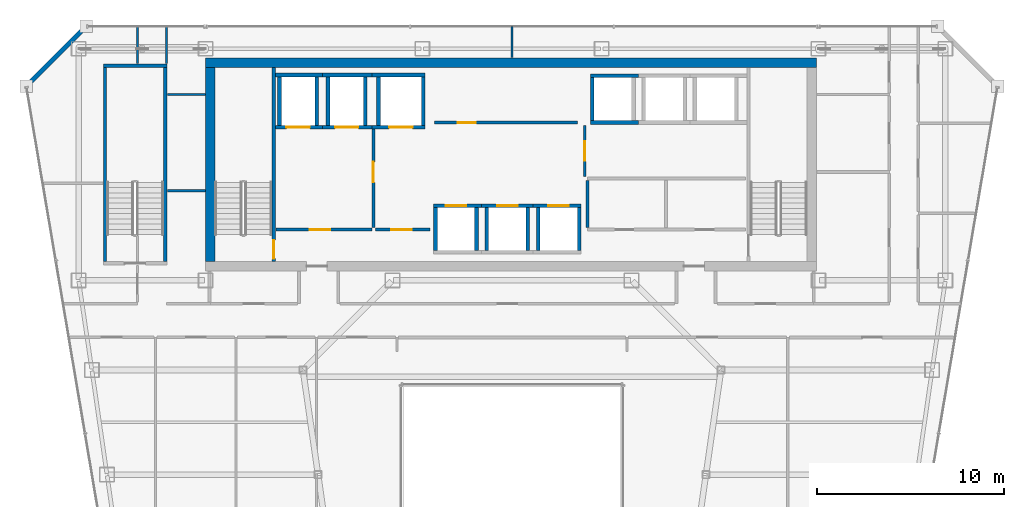
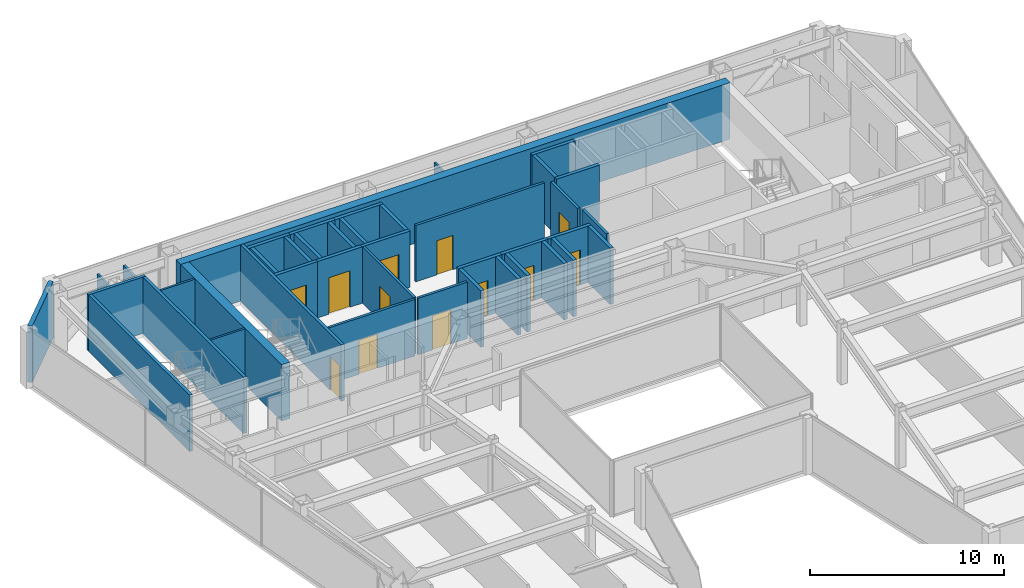
# One storey, part 31 of 35: 42 walls, 12 doors, 12 openings.
"""IFC4 building model written with IfcOpenShell, lengths in metres."""

from ifc_helpers import new_model, si_unit, direction, frame, frame_2d, origin, place, context, subcontext, project, spatial, rectangle, extrude, material, layer, layer_set, type_object, element, fill, save


model = new_model("IFC4")

# Units and contexts
model_context = context("Model", 3, precision=1e-05, world=origin(), true_north=direction((0.0, 1.0)))
body_context = subcontext(model_context, "Body", "Model", "MODEL_VIEW")
ifc_project = project(units=[si_unit("LENGTHUNIT", "METRE"), si_unit("AREAUNIT", "SQUARE_METRE"), si_unit("VOLUMEUNIT", "CUBIC_METRE"), si_unit("PLANEANGLEUNIT", "RADIAN"), si_unit("MASSUNIT", "GRAM", prefix="KILO")], contexts=[model_context])

# Site, building, storey
site_placement = place(None, origin())
site = spatial("IfcSite", under=ifc_project, at=site_placement, CompositionType="ELEMENT")
building_placement = place(site_placement, origin())
building = spatial("IfcBuilding", under=site, at=building_placement, Name="Saevonmaru Cultural Tower", CompositionType="ELEMENT")
storey_placement = place(building_placement, frame((0.0, 0.0, 190.39990234375)))
storey = spatial("IfcBuildingStorey", under=building, at=storey_placement, Name="L43", CompositionType="ELEMENT", Elevation=190.39990234375)

# Walls
ifc_material_1 = material(Name="Concrete C60/75", Category="concrete")
ifc_layer_1 = layer(ifc_material_1, 0.5, Name="Concrete C60/75")
ifc_layer_set_1 = layer_set([ifc_layer_1], Name="Concrete C60/75")
wall_type_1 = type_object("IfcWallType", Name="WL-CORE-500", PredefinedType="SHEAR", material=ifc_layer_set_1)
wall_1_placement = place(storey_placement, frame((13.60009765625, 54.050048828125, 0.0), z_axis=(0.0, 0.0, 1.0), x_axis=(1.0, 0.0, 0.0)))
element("IfcWall", 1, at=wall_1_placement, inside=storey, type_object=wall_type_1, Name="L43 Tower RC core shear wall N", PredefinedType="SHEAR", context=body_context, shape_type="SweptSolid", body=[
    extrude(rectangle(XDim=32.699951171875, YDim=0.5, at=frame_2d((16.35009765625, 0.0))), origin(), (0.0, 0.0, 1.0), 3.550048828125),
])
wall_2_placement = place(storey_placement, frame((13.85009765625, 43.39990234375, 0.0), z_axis=(0.0, 0.0, 1.0), x_axis=(0.0, 1.0, 0.0)))
element("IfcWall", 2, at=wall_2_placement, inside=storey, type_object=wall_type_1, Name="L43 Tower RC core shear wall W", PredefinedType="SHEAR", context=body_context, shape_type="SweptSolid", body=[
    extrude(rectangle(XDim=10.400146484375, YDim=0.5, at=frame_2d((5.2001953125, 0.0))), origin(), (0.0, 0.0, 1.0), 3.550048828125),
])

# Wall, opening, door
ifc_material_2 = material(Name="Gypsum Fireboard Partition", Category="gypsum")
ifc_layer_2 = layer(ifc_material_2, 0.14990234375, Name="Gypsum Fireboard Partition")
ifc_layer_set_2 = layer_set([ifc_layer_2], Name="Gypsum Fireboard Partition")
wall_type_2 = type_object("IfcWallType", Name="WL-CORE-PART-150", PredefinedType="PARTITIONING", material=ifc_layer_set_2)
wall_3_placement = place(storey_placement, frame((17.360107421875, 45.1201171875, 0.0), z_axis=(0.0, 0.0, 1.0), x_axis=(1.0, 0.0, 0.0)))
wall_3 = element("IfcWall", 3, at=wall_3_placement, inside=storey, type_object=wall_type_2, Name="L43 Firefighting Lift Lobby South Wall", PredefinedType="PARTITIONING", context=body_context, shape_type="SweptSolid", body=[
    extrude(rectangle(XDim=5.139892578125, YDim=0.14990234375, at=frame_2d((2.56982421875, 0.0))), origin(), (0.0, 0.0, 1.0), 3.550048828125),
])
opening_1_placement = place(wall_3_placement, frame((1.800048828125, 0.0, 0.0)))
opening_1 = element("IfcOpeningElement", 4, at=opening_1_placement, cuts=wall_3, Name="Opening FD-2", PredefinedType="OPENING", context=body_context, shape_type="SweptSolid", body=[
    extrude(rectangle(XDim=1.10009765625, YDim=2.14990234375, at=frame_2d((0.550048828125, 1.074951171875))), frame((0.0, 0.0849609375, 0.0), z_axis=(0.0, -1.0, 0.0), x_axis=(1.0, 0.0, 0.0)), (0.0, 0.0, 1.0), 0.169921875),
])
ifc_material_3 = material(Name="Satin Bronze Anodised Aluminium", Category="aluminium")
door_type_1 = type_object("IfcDoorType", Name="DR-FD60-1100", OperationType="SINGLE_SWING_LEFT", PredefinedType="DOOR", material=ifc_material_3)
door_1_placement = place(opening_1_placement, origin())
door_1 = element("IfcDoor", 5, at=door_1_placement, inside=storey, type_object=door_type_1, Name="L43 Firefighting Lift Lobby South Door", OperationType="SINGLE_SWING_LEFT", OverallHeight=2.14990234375, OverallWidth=1.10009765625, PredefinedType="DOOR", context=body_context, shape_type="SweptSolid", body=[
    extrude(rectangle(XDim=1.10009765625, YDim=2.14990234375, at=frame_2d((0.550048828125, 1.074951171875))), frame((0.0, 0.02490234375, 0.0), z_axis=(0.0, -1.0, 0.0), x_axis=(1.0, 0.0, 0.0)), (0.0, 0.0, 1.0), 0.050048828125),
])
fill(opening_1, door_1)

wall_4_placement = place(storey_placement, frame((22.580078125, 50.550048828125, 0.0), z_axis=(0.0, 0.0, 1.0), x_axis=(0.0, -1.0, 0.0)))
wall_4 = element("IfcWall", 6, at=wall_4_placement, inside=storey, type_object=wall_type_2, Name="L43 Firefighting Lift Lobby East Wall", PredefinedType="PARTITIONING", context=body_context, shape_type="SweptSolid", body=[
    extrude(rectangle(XDim=5.330078125, YDim=0.14990234375, at=frame_2d((2.6650390625, 0.0))), origin(), (0.0, 0.0, 1.0), 3.550048828125),
])
opening_2_placement = place(wall_4_placement, frame((1.800048828125, 0.0, 0.0)))
opening_2 = element("IfcOpeningElement", 7, at=opening_2_placement, cuts=wall_4, Name="Opening FD-2", PredefinedType="OPENING", context=body_context, shape_type="SweptSolid", body=[
    extrude(rectangle(XDim=1.10009765625, YDim=2.14990234375, at=frame_2d((0.550048828125, 1.074951171875))), frame((0.0, 0.0849609375, 0.0), z_axis=(0.0, -1.0, 0.0), x_axis=(1.0, 0.0, 0.0)), (0.0, 0.0, 1.0), 0.169921875),
])
door_2_placement = place(opening_2_placement, origin())
door_2 = element("IfcDoor", 8, at=door_2_placement, inside=storey, type_object=door_type_1, Name="L43 Firefighting Lift Lobby East Door", OperationType="SINGLE_SWING_LEFT", OverallHeight=2.14990234375, OverallWidth=1.10009765625, PredefinedType="DOOR", context=body_context, shape_type="SweptSolid", body=[
    extrude(rectangle(XDim=1.10009765625, YDim=2.14990234375, at=frame_2d((0.550048828125, 1.074951171875))), frame((0.0, 0.02490234375, 0.0), z_axis=(0.0, -1.0, 0.0), x_axis=(1.0, 0.0, 0.0)), (0.0, 0.0, 1.0), 0.050048828125),
])
fill(opening_2, door_2)

wall_5_placement = place(storey_placement, frame((22.679931640625, 45.1201171875, 0.0), z_axis=(0.0, 0.0, 1.0), x_axis=(1.0, 0.0, 0.0)))
wall_5 = element("IfcWall", 9, at=wall_5_placement, inside=storey, type_object=wall_type_2, Name="L43 Service Lift Vestibule Wall", PredefinedType="PARTITIONING", context=body_context, shape_type="SweptSolid", body=[
    extrude(rectangle(XDim=2.920166015625, YDim=0.14990234375, at=frame_2d((1.4599609375, 0.0))), origin(), (0.0, 0.0, 1.0), 3.550048828125),
])
opening_3_placement = place(wall_5_placement, frame((0.85009765625, 0.0, 0.0)))
opening_3 = element("IfcOpeningElement", 10, at=opening_3_placement, cuts=wall_5, Name="Opening FD-2", PredefinedType="OPENING", context=body_context, shape_type="SweptSolid", body=[
    extrude(rectangle(XDim=1.10009765625, YDim=2.14990234375, at=frame_2d((0.550048828125, 1.074951171875))), frame((0.0, 0.0849609375, 0.0), z_axis=(0.0, -1.0, 0.0), x_axis=(1.0, 0.0, 0.0)), (0.0, 0.0, 1.0), 0.169921875),
])
door_3_placement = place(opening_3_placement, origin())
door_3 = element("IfcDoor", 11, at=door_3_placement, inside=storey, type_object=door_type_1, Name="L43 Service Lift Vestibule Door", OperationType="SINGLE_SWING_LEFT", OverallHeight=2.14990234375, OverallWidth=1.10009765625, PredefinedType="DOOR", context=body_context, shape_type="SweptSolid", body=[
    extrude(rectangle(XDim=1.10009765625, YDim=2.14990234375, at=frame_2d((0.550048828125, 1.074951171875))), frame((0.0, 0.02490234375, 0.0), z_axis=(0.0, -1.0, 0.0), x_axis=(1.0, 0.0, 0.0)), (0.0, 0.0, 1.0), 0.050048828125),
])
fill(opening_3, door_3)

wall_6_placement = place(storey_placement, frame((33.89990234375, 47.949951171875, 0.0), z_axis=(0.0, 0.0, 1.0), x_axis=(0.0, 1.0, 0.0)))
wall_6 = element("IfcWall", 12, at=wall_6_placement, inside=storey, type_object=wall_type_2, Name="L43 Zone Lobby Divider", PredefinedType="PARTITIONING", context=body_context, shape_type="SweptSolid", body=[
    extrude(rectangle(XDim=2.75, YDim=0.14990234375, at=frame_2d((1.375, 0.0))), origin(), (0.0, 0.0, 1.0), 3.550048828125),
])
opening_4_placement = place(wall_6_placement, frame((0.85009765625, 0.0, 0.0)))
opening_4 = element("IfcOpeningElement", 13, at=opening_4_placement, cuts=wall_6, Name="Opening ID-1", PredefinedType="OPENING", context=body_context, shape_type="SweptSolid", body=[
    extrude(rectangle(XDim=1.050048828125, YDim=2.14990234375, at=frame_2d((0.52490234375, 1.074951171875))), frame((0.0, 0.0849609375, 0.0), z_axis=(0.0, -1.0, 0.0), x_axis=(1.0, 0.0, 0.0)), (0.0, 0.0, 1.0), 0.169921875),
])
door_type_2 = type_object("IfcDoorType", Name="DR-INT-1050", OperationType="SINGLE_SWING_LEFT", PredefinedType="DOOR", material=ifc_material_3)
door_4_placement = place(opening_4_placement, origin())
door_4 = element("IfcDoor", 14, at=door_4_placement, inside=storey, type_object=door_type_2, Name="L43 Inter-Lobby Link Door", OperationType="SINGLE_SWING_LEFT", OverallHeight=2.14990234375, OverallWidth=1.050048828125, PredefinedType="DOOR", context=body_context, shape_type="SweptSolid", body=[
    extrude(rectangle(XDim=1.050048828125, YDim=2.14990234375, at=frame_2d((0.52490234375, 1.074951171875))), frame((0.0, 0.02490234375, 0.0), z_axis=(0.0, -1.0, 0.0), x_axis=(1.0, 0.0, 0.0)), (0.0, 0.0, 1.0), 0.050048828125),
])
fill(opening_4, door_4)

# Wall
wall_7_placement = place(storey_placement, frame((34.050048828125, 45.219970703125, 0.0), z_axis=(0.0, 0.0, 1.0), x_axis=(0.0, 1.0, 0.0)))
element("IfcWall", 15, at=wall_7_placement, inside=storey, type_object=wall_type_2, Name="L43 Core Plant West Wall", PredefinedType="PARTITIONING", context=body_context, shape_type="SweptSolid", body=[
    extrude(rectangle(XDim=2.530029296875, YDim=0.14990234375, at=frame_2d((1.26513671875, 0.0))), origin(), (0.0, 0.0, 1.0), 3.550048828125),
])

# Wall, opening, door
wall_8_placement = place(storey_placement, frame((25.85009765625, 50.85009765625, 0.0), z_axis=(0.0, 0.0, 1.0), x_axis=(1.0, 0.0, 0.0)))
wall_8 = element("IfcWall", 16, at=wall_8_placement, inside=storey, type_object=wall_type_2, Name="L43 Reclaimed Core Room South Wall", PredefinedType="PARTITIONING", context=body_context, shape_type="SweptSolid", body=[
    extrude(rectangle(XDim=7.64990234375, YDim=0.14990234375, at=frame_2d((3.824951171875, 0.0))), origin(), (0.0, 0.0, 1.0), 3.550048828125),
])
opening_5_placement = place(wall_8_placement, frame((1.25, 0.0, 0.0)))
opening_5 = element("IfcOpeningElement", 17, at=opening_5_placement, cuts=wall_8, Name="Opening FD-4", PredefinedType="OPENING", context=body_context, shape_type="SweptSolid", body=[
    extrude(rectangle(XDim=0.949951171875, YDim=2.14990234375, at=frame_2d((0.47509765625, 1.074951171875))), frame((0.0, 0.0849609375, 0.0), z_axis=(0.0, -1.0, 0.0), x_axis=(1.0, 0.0, 0.0)), (0.0, 0.0, 1.0), 0.169921875),
])
door_type_3 = type_object("IfcDoorType", Name="DR-FD60-950", OperationType="SINGLE_SWING_LEFT", PredefinedType="DOOR", material=ifc_material_3)
door_5_placement = place(opening_5_placement, origin())
door_5 = element("IfcDoor", 18, at=door_5_placement, inside=storey, type_object=door_type_3, Name="L43 Reclaimed Archive Vault Door", OperationType="SINGLE_SWING_LEFT", OverallHeight=2.14990234375, OverallWidth=0.949951171875, PredefinedType="DOOR", context=body_context, shape_type="SweptSolid", body=[
    extrude(rectangle(XDim=0.949951171875, YDim=2.14990234375, at=frame_2d((0.47509765625, 1.074951171875))), frame((0.0, 0.02490234375, 0.0), z_axis=(0.0, -1.0, 0.0), x_axis=(1.0, 0.0, 0.0)), (0.0, 0.0, 1.0), 0.050048828125),
])
fill(opening_5, door_5)

# Walls
ifc_material_4 = material(Name="Granite-Clad Precast Concrete C40/50", Category="masonry")
ifc_layer_3 = layer(ifc_material_4, 0.260009765625, Name="Granite-Clad Precast Concrete C40/50")
ifc_layer_set_3 = layer_set([ifc_layer_3], Name="Granite-Clad Precast Concrete C40/50")
wall_type_3 = type_object("IfcWallType", Name="WL-EXT-SPANDREL-260", PredefinedType="STANDARD", material=ifc_layer_set_3)
wall_9_placement = place(storey_placement, frame((7.0869140625, 55.886962890625, 0.0), z_axis=(0.0, 0.0, 1.0), x_axis=(-0.707106781187, -0.707106781187, 0.0)))
element("IfcWall", 19, at=wall_9_placement, inside=storey, type_object=wall_type_3, Name="L43 Chamfer Corner Spandrel Wall E11", PredefinedType="STANDARD", context=body_context, shape_type="SweptSolid", body=[
    extrude(rectangle(XDim=4.205810546875, YDim=0.260009765625, at=frame_2d((2.10302734375, 0.0))), origin(), (0.0, 0.0, 1.0), 3.550048828125),
])
ifc_layer_4 = layer(ifc_material_2, 0.1201171875, Name="Gypsum Fireboard Partition")
ifc_layer_set_4 = layer_set([ifc_layer_4], Name="Gypsum Fireboard Partition")
wall_type_4 = type_object("IfcWallType", Name="WL-PART-GYP-120", PredefinedType="PARTITIONING", material=ifc_layer_set_4)
wall_10_placement = place(storey_placement, frame((11.550048828125, 52.35009765625, 0.0), z_axis=(0.0, 0.0, 1.0), x_axis=(1.0, 0.0, 0.0)))
element("IfcWall", 20, at=wall_10_placement, inside=storey, type_object=wall_type_4, Name="L43 North-West Panorama South Wall", PredefinedType="PARTITIONING", context=body_context, shape_type="SweptSolid", body=[
    extrude(rectangle(XDim=2.030029296875, YDim=0.1201171875, at=frame_2d((1.01513671875, 0.0))), origin(), (0.0, 0.0, 1.0), 3.550048828125),
])
wall_11_placement = place(storey_placement, frame((30.0, 54.320068359375, 0.0), z_axis=(0.0, 0.0, 1.0), x_axis=(0.0, 1.0, 0.0)))
element("IfcWall", 21, at=wall_11_placement, inside=storey, type_object=wall_type_4, Name="L43 North Panorama Center Split", PredefinedType="PARTITIONING", context=body_context, shape_type="SweptSolid", body=[
    extrude(rectangle(XDim=1.675048828125, YDim=0.1201171875, at=frame_2d((0.83740234375, 0.0))), origin(), (0.0, 0.0, 1.0), 2.93505859375),
])
for number, where, z_axis, x_axis, name in (
    (22, (11.5, 54.0, 0.0), (0.0, 0.0, 1.0), (0.0, 1.0, 0.0), "L43 Periodical Reading Room Corridor Wall"),
    (23, (9.949951171875, 54.0, 0.0), (0.0, 0.0, 1.0), (0.0, 1.0, 0.0), "L43 Cartographic Study Library Corridor Wall"),
):
    element("IfcWall", number, at=place(storey_placement, frame(where, z_axis=z_axis, x_axis=x_axis)), inside=storey, type_object=wall_type_4, Name=name, PredefinedType="PARTITIONING", context=body_context, shape_type="SweptSolid", body=[
        extrude(rectangle(XDim=1.9951171875, YDim=0.1201171875, at=frame_2d((0.99755859375, 0.0))), origin(), (0.0, 0.0, 1.0), 2.93505859375),
    ])
wall_12_placement = place(storey_placement, frame((11.550048828125, 47.199951171875, 0.0), z_axis=(0.0, 0.0, 1.0), x_axis=(1.0, 0.0, 0.0)))
element("IfcWall", 24, at=wall_12_placement, inside=storey, type_object=wall_type_4, Name="L43 NW Inner Divider", PredefinedType="PARTITIONING", context=body_context, shape_type="SweptSolid", body=[
    extrude(rectangle(XDim=2.030029296875, YDim=0.1201171875, at=frame_2d((1.01513671875, 0.0))), origin(), (0.0, 0.0, 1.0), 3.550048828125),
])

# Wall, opening, door
ifc_material_5 = material(Name="Concrete C40/50", Category="concrete")
ifc_layer_5 = layer(ifc_material_5, 0.199951171875, Name="Concrete C40/50")
ifc_layer_set_5 = layer_set([ifc_layer_5], Name="Concrete C40/50")
wall_type_5 = type_object("IfcWallType", Name="WL-SHAFT-200", PredefinedType="SHEAR", material=ifc_layer_set_5)
wall_13_placement = place(storey_placement, frame((17.330078125, 50.60009765625, 0.0), z_axis=(0.0, 0.0, 1.0), x_axis=(1.0, 0.0, 0.0)))
wall_13 = element("IfcWall", 25, at=wall_13_placement, inside=storey, type_object=wall_type_5, Name="L43 Lift FFL-1 Hoistway Wall S", PredefinedType="SHEAR", context=body_context, shape_type="SweptSolid", body=[
    extrude(rectangle(XDim=2.52001953125, YDim=0.199951171875, at=frame_2d((1.260009765625, 0.0))), origin(), (0.0, 0.0, 1.0), 3.550048828125),
])
opening_6_placement = place(wall_13_placement, frame((0.594970703125, 0.0, 0.0)))
opening_6 = element("IfcOpeningElement", 26, at=opening_6_placement, cuts=wall_13, Name="Opening LD-2", PredefinedType="OPENING", context=body_context, shape_type="SweptSolid", body=[
    extrude(rectangle(XDim=1.25, YDim=2.300048828125, at=frame_2d((0.625, 1.14990234375))), frame((0.0, 0.10986328125, 0.0), z_axis=(0.0, -1.0, 0.0), x_axis=(1.0, 0.0, 0.0)), (0.0, 0.0, 1.0), 0.219970703125),
])
ifc_material_6 = material(Name="Stainless Steel 316", Category="steel")
door_type_4 = type_object("IfcDoorType", Name="DR-LIFT-1250", OperationType="SLIDING_TO_LEFT", PredefinedType="DOOR", material=ifc_material_6)
door_6_placement = place(opening_6_placement, origin())
door_6 = element("IfcDoor", 27, at=door_6_placement, inside=storey, type_object=door_type_4, Name="L43 Lift FFL-1 Sliding Landing Door", OperationType="SLIDING_TO_LEFT", OverallHeight=2.300048828125, OverallWidth=1.25, PredefinedType="DOOR", context=body_context, shape_type="SweptSolid", body=[
    extrude(rectangle(XDim=1.25, YDim=2.300048828125, at=frame_2d((0.625, 1.14990234375))), frame((0.0, 0.02490234375, 0.0), z_axis=(0.0, -1.0, 0.0), x_axis=(1.0, 0.0, 0.0)), (0.0, 0.0, 1.0), 0.050048828125),
])
fill(opening_6, door_6)

# Walls
wall_14_placement = place(storey_placement, frame((17.330078125, 53.39990234375, 0.0), z_axis=(0.0, 0.0, 1.0), x_axis=(1.0, 0.0, 0.0)))
element("IfcWall", 28, at=wall_14_placement, inside=storey, type_object=wall_type_5, Name="L43 Lift FFL-1 Hoistway Wall N", PredefinedType="SHEAR", context=body_context, shape_type="SweptSolid", body=[
    extrude(rectangle(XDim=2.52001953125, YDim=0.199951171875, at=frame_2d((1.260009765625, 0.0))), origin(), (0.0, 0.0, 1.0), 3.550048828125),
])
for number, where, z_axis, x_axis, name in (
    (29, (17.550048828125, 50.699951171875, 0.0), (0.0, 0.0, 1.0), (0.0, 1.0, 0.0), "L43 Lift FFL-1 Hoistway Wall W"),
    (30, (19.550048828125, 50.699951171875, 0.0), (0.0, 0.0, 1.0), (0.0, 1.0, 0.0), "L43 Lift FFL-1 Hoistway Wall E"),
):
    element("IfcWall", number, at=place(storey_placement, frame(where, z_axis=z_axis, x_axis=x_axis)), inside=storey, type_object=wall_type_5, Name=name, PredefinedType="SHEAR", context=body_context, shape_type="SweptSolid", body=[
        extrude(rectangle(XDim=2.60009765625, YDim=0.199951171875, at=frame_2d((1.300048828125, 0.0))), origin(), (0.0, 0.0, 1.0), 3.550048828125),
    ])

# Wall, opening, door
wall_15_placement = place(storey_placement, frame((19.85009765625, 50.60009765625, 0.0), z_axis=(0.0, 0.0, 1.0), x_axis=(1.0, 0.0, 0.0)))
wall_15 = element("IfcWall", 31, at=wall_15_placement, inside=storey, type_object=wall_type_5, Name="L43 Lift FFL-2 Hoistway Wall S", PredefinedType="SHEAR", context=body_context, shape_type="SweptSolid", body=[
    extrude(rectangle(XDim=2.64990234375, YDim=0.199951171875, at=frame_2d((1.324951171875, 0.0))), origin(), (0.0, 0.0, 1.0), 3.550048828125),
])
opening_7_placement = place(wall_15_placement, frame((0.675048828125, 0.0, 0.0)))
opening_7 = element("IfcOpeningElement", 32, at=opening_7_placement, cuts=wall_15, Name="Opening LD-2", PredefinedType="OPENING", context=body_context, shape_type="SweptSolid", body=[
    extrude(rectangle(XDim=1.25, YDim=2.300048828125, at=frame_2d((0.625, 1.14990234375))), frame((0.0, 0.10986328125, 0.0), z_axis=(0.0, -1.0, 0.0), x_axis=(1.0, 0.0, 0.0)), (0.0, 0.0, 1.0), 0.219970703125),
])
door_7_placement = place(opening_7_placement, origin())
door_7 = element("IfcDoor", 33, at=door_7_placement, inside=storey, type_object=door_type_4, Name="L43 Lift FFL-2 Sliding Landing Door", OperationType="SLIDING_TO_LEFT", OverallHeight=2.300048828125, OverallWidth=1.25, PredefinedType="DOOR", context=body_context, shape_type="SweptSolid", body=[
    extrude(rectangle(XDim=1.25, YDim=2.300048828125, at=frame_2d((0.625, 1.14990234375))), frame((0.0, 0.02490234375, 0.0), z_axis=(0.0, -1.0, 0.0), x_axis=(1.0, 0.0, 0.0)), (0.0, 0.0, 1.0), 0.050048828125),
])
fill(opening_7, door_7)

# Walls
wall_16_placement = place(storey_placement, frame((19.85009765625, 53.39990234375, 0.0), z_axis=(0.0, 0.0, 1.0), x_axis=(1.0, 0.0, 0.0)))
element("IfcWall", 34, at=wall_16_placement, inside=storey, type_object=wall_type_5, Name="L43 Lift FFL-2 Hoistway Wall N", PredefinedType="SHEAR", context=body_context, shape_type="SweptSolid", body=[
    extrude(rectangle(XDim=2.64990234375, YDim=0.199951171875, at=frame_2d((1.324951171875, 0.0))), origin(), (0.0, 0.0, 1.0), 3.550048828125),
])
for number, where, z_axis, x_axis, name in (
    (35, (20.14990234375, 50.699951171875, 0.0), (0.0, 0.0, 1.0), (0.0, 1.0, 0.0), "L43 Lift FFL-2 Hoistway Wall W"),
    (36, (22.14990234375, 50.699951171875, 0.0), (0.0, 0.0, 1.0), (0.0, 1.0, 0.0), "L43 Lift FFL-2 Hoistway Wall E"),
):
    element("IfcWall", number, at=place(storey_placement, frame(where, z_axis=z_axis, x_axis=x_axis)), inside=storey, type_object=wall_type_5, Name=name, PredefinedType="SHEAR", context=body_context, shape_type="SweptSolid", body=[
        extrude(rectangle(XDim=2.60009765625, YDim=0.199951171875, at=frame_2d((1.300048828125, 0.0))), origin(), (0.0, 0.0, 1.0), 3.550048828125),
    ])

# Wall, opening, door
wall_17_placement = place(storey_placement, frame((22.5, 50.60009765625, 0.0), z_axis=(0.0, 0.0, 1.0), x_axis=(1.0, 0.0, 0.0)))
wall_17 = element("IfcWall", 37, at=wall_17_placement, inside=storey, type_object=wall_type_5, Name="L43 Lift GL-1 Hoistway Wall S", PredefinedType="SHEAR", context=body_context, shape_type="SweptSolid", body=[
    extrude(rectangle(XDim=2.85009765625, YDim=0.199951171875, at=frame_2d((1.425048828125, 0.0))), origin(), (0.0, 0.0, 1.0), 3.550048828125),
])
opening_8_placement = place(wall_17_placement, frame((0.925048828125, 0.0, 0.0)))
opening_8 = element("IfcOpeningElement", 38, at=opening_8_placement, cuts=wall_17, Name="Opening LD-2", PredefinedType="OPENING", context=body_context, shape_type="SweptSolid", body=[
    extrude(rectangle(XDim=1.25, YDim=2.300048828125, at=frame_2d((0.625, 1.14990234375))), frame((0.0, 0.10986328125, 0.0), z_axis=(0.0, -1.0, 0.0), x_axis=(1.0, 0.0, 0.0)), (0.0, 0.0, 1.0), 0.219970703125),
])
door_8_placement = place(opening_8_placement, origin())
door_8 = element("IfcDoor", 39, at=door_8_placement, inside=storey, type_object=door_type_4, Name="L43 Lift GL-1 Sliding Landing Door", OperationType="SLIDING_TO_LEFT", OverallHeight=2.300048828125, OverallWidth=1.25, PredefinedType="DOOR", context=body_context, shape_type="SweptSolid", body=[
    extrude(rectangle(XDim=1.25, YDim=2.300048828125, at=frame_2d((0.625, 1.14990234375))), frame((0.0, 0.02490234375, 0.0), z_axis=(0.0, -1.0, 0.0), x_axis=(1.0, 0.0, 0.0)), (0.0, 0.0, 1.0), 0.050048828125),
])
fill(opening_8, door_8)

# Walls
wall_18_placement = place(storey_placement, frame((22.5, 53.39990234375, 0.0), z_axis=(0.0, 0.0, 1.0), x_axis=(1.0, 0.0, 0.0)))
element("IfcWall", 40, at=wall_18_placement, inside=storey, type_object=wall_type_5, Name="L43 Lift GL-1 Hoistway Wall N", PredefinedType="SHEAR", context=body_context, shape_type="SweptSolid", body=[
    extrude(rectangle(XDim=2.85009765625, YDim=0.199951171875, at=frame_2d((1.425048828125, 0.0))), origin(), (0.0, 0.0, 1.0), 3.550048828125),
])
for number, where, z_axis, x_axis, name in (
    (41, (22.85009765625, 50.699951171875, 0.0), (0.0, 0.0, 1.0), (0.0, 1.0, 0.0), "L43 Lift GL-1 Hoistway Wall W"),
    (42, (25.25, 50.699951171875, 0.0), (0.0, 0.0, 1.0), (0.0, 1.0, 0.0), "L43 Lift GL-1 Hoistway Wall E"),
):
    element("IfcWall", number, at=place(storey_placement, frame(where, z_axis=z_axis, x_axis=x_axis)), inside=storey, type_object=wall_type_5, Name=name, PredefinedType="SHEAR", context=body_context, shape_type="SweptSolid", body=[
        extrude(rectangle(XDim=2.60009765625, YDim=0.199951171875, at=frame_2d((1.300048828125, 0.0))), origin(), (0.0, 0.0, 1.0), 3.550048828125),
    ])

# Wall, opening, door
wall_19_placement = place(storey_placement, frame((25.800048828125, 46.39990234375, 0.0), z_axis=(0.0, 0.0, 1.0), x_axis=(1.0, 0.0, 0.0)))
wall_19 = element("IfcWall", 43, at=wall_19_placement, inside=storey, type_object=wall_type_5, Name="L43 Lift PL-M1 Hoistway Wall N", PredefinedType="SHEAR", context=body_context, shape_type="SweptSolid", body=[
    extrude(rectangle(XDim=2.574951171875, YDim=0.199951171875, at=frame_2d((1.28759765625, 0.0))), origin(), (0.0, 0.0, 1.0), 3.550048828125),
])
opening_9_placement = place(wall_19_placement, frame((0.64990234375, 0.0, 0.0)))
opening_9 = element("IfcOpeningElement", 44, at=opening_9_placement, cuts=wall_19, Name="Opening LD-1", PredefinedType="OPENING", context=body_context, shape_type="SweptSolid", body=[
    extrude(rectangle(XDim=1.10009765625, YDim=2.199951171875, at=frame_2d((0.550048828125, 1.10009765625))), frame((0.0, 0.10986328125, 0.0), z_axis=(0.0, -1.0, 0.0), x_axis=(1.0, 0.0, 0.0)), (0.0, 0.0, 1.0), 0.219970703125),
])
ifc_material_7 = material(Name="Satin Bronze Stainless Steel", Category="steel")
door_type_5 = type_object("IfcDoorType", Name="DR-LIFT-1100", OperationType="SLIDING_TO_LEFT", PredefinedType="DOOR", material=ifc_material_7)
door_9_placement = place(opening_9_placement, origin())
door_9 = element("IfcDoor", 45, at=door_9_placement, inside=storey, type_object=door_type_5, Name="L43 Lift PL-M1 Sliding Landing Door", OperationType="SLIDING_TO_LEFT", OverallHeight=2.199951171875, OverallWidth=1.10009765625, PredefinedType="DOOR", context=body_context, shape_type="SweptSolid", body=[
    extrude(rectangle(XDim=1.10009765625, YDim=2.199951171875, at=frame_2d((0.550048828125, 1.10009765625))), frame((0.0, 0.02490234375, 0.0), z_axis=(0.0, -1.0, 0.0), x_axis=(1.0, 0.0, 0.0)), (0.0, 0.0, 1.0), 0.050048828125),
])
fill(opening_9, door_9)

# Walls
for number, where, z_axis, x_axis, name in (
    (46, (25.89990234375, 44.0, 0.0), (0.0, 0.0, 1.0), (0.0, 1.0, 0.0), "L43 Lift PL-M1 Hoistway Wall W"),
    (47, (28.10009765625, 44.0, 0.0), (0.0, 0.0, 1.0), (0.0, 1.0, 0.0), "L43 Lift PL-M1 Hoistway Wall E"),
):
    element("IfcWall", number, at=place(storey_placement, frame(where, z_axis=z_axis, x_axis=x_axis)), inside=storey, type_object=wall_type_5, Name=name, PredefinedType="SHEAR", context=body_context, shape_type="SweptSolid", body=[
        extrude(rectangle(XDim=2.300048828125, YDim=0.199951171875, at=frame_2d((1.14990234375, 0.0))), origin(), (0.0, 0.0, 1.0), 3.550048828125),
    ])

# Wall, opening, door
wall_20_placement = place(storey_placement, frame((28.375, 46.39990234375, 0.0), z_axis=(0.0, 0.0, 1.0), x_axis=(1.0, 0.0, 0.0)))
wall_20 = element("IfcWall", 48, at=wall_20_placement, inside=storey, type_object=wall_type_5, Name="L43 Lift PL-M2 Hoistway Wall N", PredefinedType="SHEAR", context=body_context, shape_type="SweptSolid", body=[
    extrude(rectangle(XDim=2.75, YDim=0.199951171875, at=frame_2d((1.375, 0.0))), origin(), (0.0, 0.0, 1.0), 3.550048828125),
])
opening_10_placement = place(wall_20_placement, frame((0.824951171875, 0.0, 0.0)))
opening_10 = element("IfcOpeningElement", 49, at=opening_10_placement, cuts=wall_20, Name="Opening LD-1", PredefinedType="OPENING", context=body_context, shape_type="SweptSolid", body=[
    extrude(rectangle(XDim=1.10009765625, YDim=2.199951171875, at=frame_2d((0.550048828125, 1.10009765625))), frame((0.0, 0.10986328125, 0.0), z_axis=(0.0, -1.0, 0.0), x_axis=(1.0, 0.0, 0.0)), (0.0, 0.0, 1.0), 0.219970703125),
])
door_10_placement = place(opening_10_placement, origin())
door_10 = element("IfcDoor", 50, at=door_10_placement, inside=storey, type_object=door_type_5, Name="L43 Lift PL-M2 Sliding Landing Door", OperationType="SLIDING_TO_LEFT", OverallHeight=2.199951171875, OverallWidth=1.10009765625, PredefinedType="DOOR", context=body_context, shape_type="SweptSolid", body=[
    extrude(rectangle(XDim=1.10009765625, YDim=2.199951171875, at=frame_2d((0.550048828125, 1.10009765625))), frame((0.0, 0.02490234375, 0.0), z_axis=(0.0, -1.0, 0.0), x_axis=(1.0, 0.0, 0.0)), (0.0, 0.0, 1.0), 0.050048828125),
])
fill(opening_10, door_10)

# Walls
for number, where, z_axis, x_axis, name in (
    (51, (28.64990234375, 44.0, 0.0), (0.0, 0.0, 1.0), (0.0, 1.0, 0.0), "L43 Lift PL-M2 Hoistway Wall W"),
    (52, (30.85009765625, 44.0, 0.0), (0.0, 0.0, 1.0), (0.0, 1.0, 0.0), "L43 Lift PL-M2 Hoistway Wall E"),
):
    element("IfcWall", number, at=place(storey_placement, frame(where, z_axis=z_axis, x_axis=x_axis)), inside=storey, type_object=wall_type_5, Name=name, PredefinedType="SHEAR", context=body_context, shape_type="SweptSolid", body=[
        extrude(rectangle(XDim=2.300048828125, YDim=0.199951171875, at=frame_2d((1.14990234375, 0.0))), origin(), (0.0, 0.0, 1.0), 3.550048828125),
    ])

# Wall, opening, door
wall_21_placement = place(storey_placement, frame((31.125, 46.39990234375, 0.0), z_axis=(0.0, 0.0, 1.0), x_axis=(1.0, 0.0, 0.0)))
wall_21 = element("IfcWall", 53, at=wall_21_placement, inside=storey, type_object=wall_type_5, Name="L43 Lift PL-M3 Hoistway Wall N", PredefinedType="SHEAR", context=body_context, shape_type="SweptSolid", body=[
    extrude(rectangle(XDim=2.574951171875, YDim=0.199951171875, at=frame_2d((1.28759765625, 0.0))), origin(), (0.0, 0.0, 1.0), 3.550048828125),
])
opening_11_placement = place(wall_21_placement, frame((0.824951171875, 0.0, 0.0)))
opening_11 = element("IfcOpeningElement", 54, at=opening_11_placement, cuts=wall_21, Name="Opening LD-1", PredefinedType="OPENING", context=body_context, shape_type="SweptSolid", body=[
    extrude(rectangle(XDim=1.10009765625, YDim=2.199951171875, at=frame_2d((0.550048828125, 1.10009765625))), frame((0.0, 0.10986328125, 0.0), z_axis=(0.0, -1.0, 0.0), x_axis=(1.0, 0.0, 0.0)), (0.0, 0.0, 1.0), 0.219970703125),
])
door_11_placement = place(opening_11_placement, origin())
door_11 = element("IfcDoor", 55, at=door_11_placement, inside=storey, type_object=door_type_5, Name="L43 Lift PL-M3 Sliding Landing Door", OperationType="SLIDING_TO_LEFT", OverallHeight=2.199951171875, OverallWidth=1.10009765625, PredefinedType="DOOR", context=body_context, shape_type="SweptSolid", body=[
    extrude(rectangle(XDim=1.10009765625, YDim=2.199951171875, at=frame_2d((0.550048828125, 1.10009765625))), frame((0.0, 0.02490234375, 0.0), z_axis=(0.0, -1.0, 0.0), x_axis=(1.0, 0.0, 0.0)), (0.0, 0.0, 1.0), 0.050048828125),
])
fill(opening_11, door_11)

# Walls
for number, where, z_axis, x_axis, name in (
    (56, (31.39990234375, 44.0, 0.0), (0.0, 0.0, 1.0), (0.0, 1.0, 0.0), "L43 Lift PL-M3 Hoistway Wall W"),
    (57, (33.60009765625, 44.0, 0.0), (0.0, 0.0, 1.0), (0.0, 1.0, 0.0), "L43 Lift PL-M3 Hoistway Wall E"),
):
    element("IfcWall", number, at=place(storey_placement, frame(where, z_axis=z_axis, x_axis=x_axis)), inside=storey, type_object=wall_type_5, Name=name, PredefinedType="SHEAR", context=body_context, shape_type="SweptSolid", body=[
        extrude(rectangle(XDim=2.300048828125, YDim=0.199951171875, at=frame_2d((1.14990234375, 0.0))), origin(), (0.0, 0.0, 1.0), 3.550048828125),
    ])
for number, where, z_axis, x_axis, name in (
    (58, (34.199951171875, 50.85009765625, 0.0), (0.0, 0.0, 1.0), (1.0, 0.0, 0.0), "L43 Lift PL-H1 Hoistway Wall S"),
    (59, (34.199951171875, 53.35009765625, 0.0), (0.0, 0.0, 1.0), (1.0, 0.0, 0.0), "L43 Lift PL-H1 Hoistway Wall N"),
):
    element("IfcWall", number, at=place(storey_placement, frame(where, z_axis=z_axis, x_axis=x_axis)), inside=storey, type_object=wall_type_5, Name=name, PredefinedType="SHEAR", context=body_context, shape_type="SweptSolid", body=[
        extrude(rectangle(XDim=2.574951171875, YDim=0.199951171875, at=frame_2d((1.28759765625, 0.0))), origin(), (0.0, 0.0, 1.0), 3.550048828125),
    ])
wall_22_placement = place(storey_placement, frame((34.300048828125, 50.949951171875, 0.0), z_axis=(0.0, 0.0, 1.0), x_axis=(0.0, 1.0, 0.0)))
element("IfcWall", 60, at=wall_22_placement, inside=storey, type_object=wall_type_5, Name="L43 Lift PL-H1 Hoistway Wall W", PredefinedType="SHEAR", context=body_context, shape_type="SweptSolid", body=[
    extrude(rectangle(XDim=2.300048828125, YDim=0.199951171875, at=frame_2d((1.14990234375, 0.0))), origin(), (0.0, 0.0, 1.0), 3.550048828125),
])

# Wall, opening, door
ifc_layer_6 = layer(ifc_material_5, 0.179931640625, Name="Concrete C40/50")
ifc_layer_set_6 = layer_set([ifc_layer_6], Name="Concrete C40/50")
wall_type_6 = type_object("IfcWallType", Name="WL-STSHAFT-180", PredefinedType="SHEAR", material=ifc_layer_set_6)
wall_23_placement = place(storey_placement, frame((17.239990234375, 43.39990234375, 0.0), z_axis=(0.0, 0.0, 1.0), x_axis=(0.0, 1.0, 0.0)))
wall_23 = element("IfcWall", 61, at=wall_23_placement, inside=storey, type_object=wall_type_6, Name="L43 Stair ST-1 Structural Shaft Wall 1", PredefinedType="SHEAR", context=body_context, shape_type="SweptSolid", body=[
    extrude(rectangle(XDim=10.400146484375, YDim=0.179931640625, at=frame_2d((5.2001953125, 0.0))), origin(), (0.0, 0.0, 1.0), 3.550048828125),
])
opening_12_placement = place(wall_23_placement, frame((0.159912109375, 0.0, 0.0)))
opening_12 = element("IfcOpeningElement", 62, at=opening_12_placement, cuts=wall_23, Name="Opening FD-3", PredefinedType="OPENING", context=body_context, shape_type="SweptSolid", body=[
    extrude(rectangle(XDim=1.0, YDim=2.14990234375, at=frame_2d((0.5, 1.074951171875))), frame((0.0, 0.10009765625, 0.0), z_axis=(0.0, -1.0, 0.0), x_axis=(1.0, 0.0, 0.0)), (0.0, 0.0, 1.0), 0.199951171875),
])
door_type_6 = type_object("IfcDoorType", Name="DR-FD60-1000", OperationType="SINGLE_SWING_RIGHT", PredefinedType="DOOR", material=ifc_material_3)
door_12_placement = place(opening_12_placement, origin())
door_12 = element("IfcDoor", 63, at=door_12_placement, inside=storey, type_object=door_type_6, Name="L43 Protected Stair ST-1 Fire Door", OperationType="SINGLE_SWING_RIGHT", OverallHeight=2.14990234375, OverallWidth=1.0, PredefinedType="DOOR", context=body_context, shape_type="SweptSolid", body=[
    extrude(rectangle(XDim=1.0, YDim=2.14990234375, at=frame_2d((0.5, 1.074951171875))), frame((0.0, 0.02490234375, 0.0), z_axis=(0.0, -1.0, 0.0), x_axis=(1.0, 0.0, 0.0)), (0.0, 0.0, 1.0), 0.050048828125),
])
fill(opening_12, door_12)

# Walls
wall_24_placement = place(storey_placement, frame((11.43994140625, 43.39990234375, 0.0), z_axis=(0.0, 0.0, 1.0), x_axis=(0.0, 1.0, 0.0)))
element("IfcWall", 64, at=wall_24_placement, inside=storey, type_object=wall_type_6, Name="L43 Stair ST-3 Structural Shaft Wall 2", PredefinedType="SHEAR", context=body_context, shape_type="SweptSolid", body=[
    extrude(rectangle(XDim=10.400146484375, YDim=0.179931640625, at=frame_2d((5.2001953125, 0.0))), origin(), (0.0, 0.0, 1.0), 3.550048828125),
])
wall_25_placement = place(storey_placement, frame((11.530029296875, 53.889892578125, 0.0), z_axis=(0.0, 0.0, 1.0), x_axis=(-1.0, 0.0, 0.0)))
element("IfcWall", 65, at=wall_25_placement, inside=storey, type_object=wall_type_6, Name="L43 Stair ST-3 Structural Shaft Wall 3", PredefinedType="SHEAR", context=body_context, shape_type="SweptSolid", body=[
    extrude(rectangle(XDim=3.409912109375, YDim=0.179931640625, at=frame_2d((1.705078125, 0.0))), origin(), (0.0, 0.0, 1.0), 3.550048828125),
])
wall_26_placement = place(storey_placement, frame((8.2099609375, 53.800048828125, 0.0), z_axis=(0.0, 0.0, 1.0), x_axis=(0.0, -1.0, 0.0)))
element("IfcWall", 66, at=wall_26_placement, inside=storey, type_object=wall_type_6, Name="L43 Stair ST-3 Structural Shaft Wall 4", PredefinedType="SHEAR", context=body_context, shape_type="SweptSolid", body=[
    extrude(rectangle(XDim=10.400146484375, YDim=0.179931640625, at=frame_2d((5.2001953125, 0.0))), origin(), (0.0, 0.0, 1.0), 3.550048828125),
])

save(model, "model.ifc")
